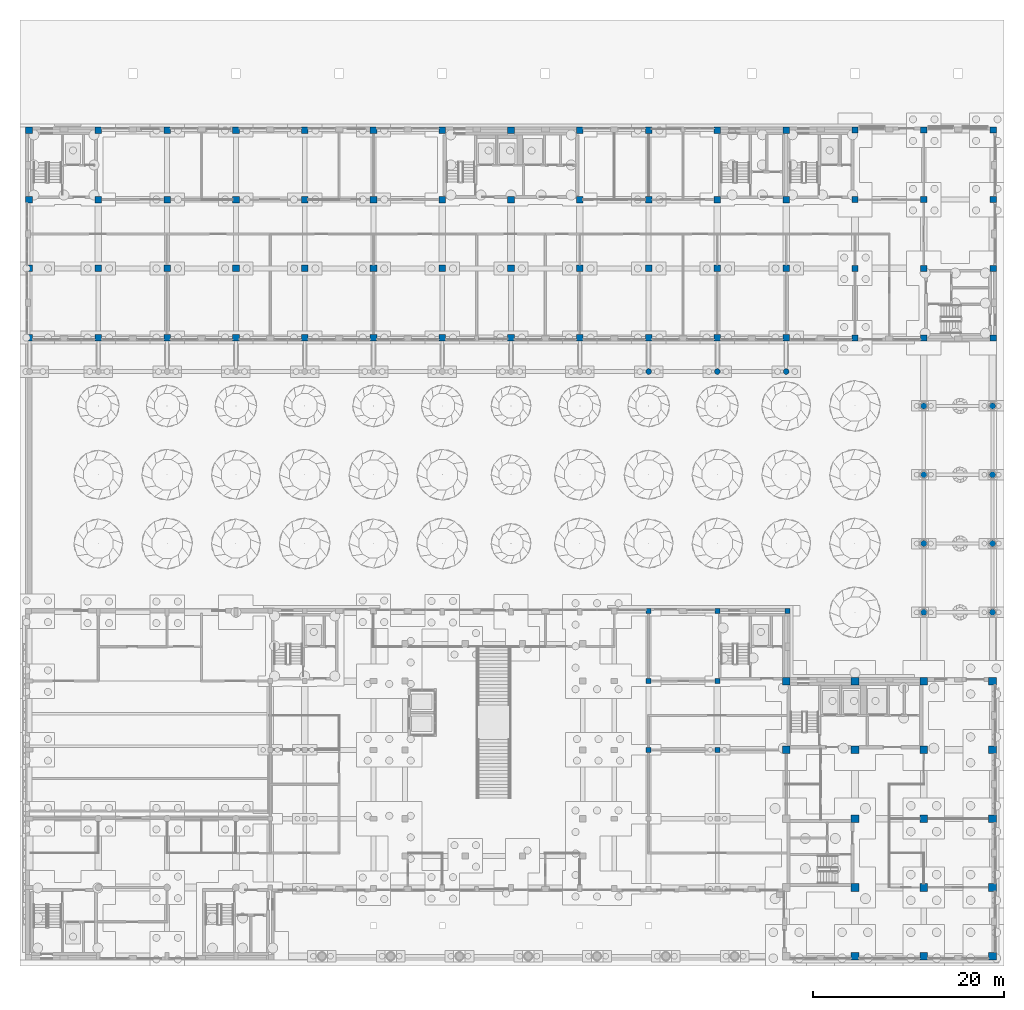
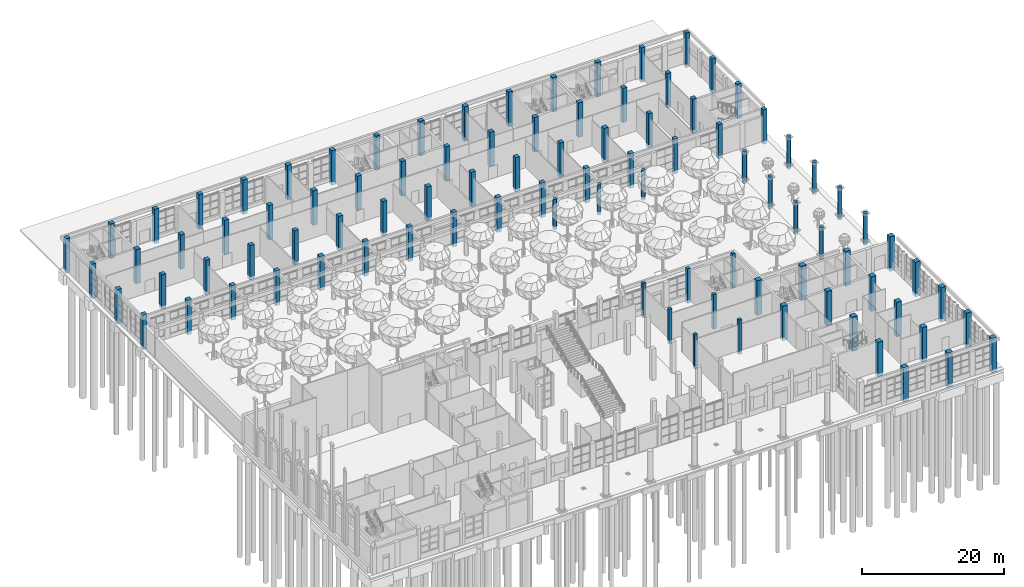
# One storey, part 9 of 80: 95 columns.
"""IFC4 building model written with IfcOpenShell, lengths in metres."""

from ifc_helpers import new_model, si_unit, direction, frame, origin, origin_2d, place, context, subcontext, project, spatial, rectangle, circle, extrude, material, material_profile, profile_set, type_object, element, save


model = new_model("IFC4")

# Units and contexts
model_context = context("Model", 3, precision=1e-05, world=origin(), true_north=direction((0.0, 1.0)))
body_context = subcontext(model_context, "Body", "Model", "MODEL_VIEW")
ifc_project = project(units=[si_unit("LENGTHUNIT", "METRE"), si_unit("AREAUNIT", "SQUARE_METRE"), si_unit("VOLUMEUNIT", "CUBIC_METRE"), si_unit("PLANEANGLEUNIT", "RADIAN"), si_unit("MASSUNIT", "GRAM", prefix="KILO")], contexts=[model_context])

# Site, building, storey
site_placement = place(None, origin())
site = spatial("IfcSite", under=ifc_project, at=site_placement, CompositionType="ELEMENT")
building_placement = place(site_placement, origin())
building = spatial("IfcBuilding", under=site, at=building_placement, Name="Ussher Court Research Institute", CompositionType="ELEMENT")
storey_placement = place(building_placement, origin())
storey = spatial("IfcBuildingStorey", under=building, at=storey_placement, Name="L00", CompositionType="ELEMENT", Elevation=0.0)

# Columns
ifc_material_1 = material(Name="Concrete C35/45", Category="concrete")
ifc_material_profile_1 = material_profile(ifc_material_1, rectangle(XDim=0.5, YDim=0.5, at=origin_2d()), Name="RC 500x500")
ifc_profile_set_1 = profile_set([ifc_material_profile_1], Name="Concrete C35/45")
column_type_1 = type_object("IfcColumnType", Name="RC 500x500 column", PredefinedType="COLUMN", material=ifc_profile_set_1)
for number, where, z_axis, x_axis, name in (
    (1, (67.800048828125, 25.60009765625, -0.550048828125), (0.0, 0.0, 1.0), (1.0, 0.0, 0.0), "C5 V7 L00-13"),
    (2, (67.800048828125, 32.800048828125, -0.550048828125), (0.0, 0.0, 1.0), (1.0, 0.0, 0.0), "C5 V7 L00-14"),
    (3, (67.800048828125, 40.14990234375, -0.550048828125), (0.0, 0.0, 1.0), (1.0, 0.0, 0.0), "C5 V7 L00-15"),
    (4, (75.0, 25.60009765625, -0.550048828125), (0.0, 0.0, 1.0), (1.0, 0.0, 0.0), "C5 V7 L00-18"),
    (5, (75.0, 32.800048828125, -0.550048828125), (0.0, 0.0, 1.0), (1.0, 0.0, 0.0), "C5 V7 L00-19"),
    (6, (75.0, 40.14990234375, -0.550048828125), (0.0, 0.0, 1.0), (1.0, 0.0, 0.0), "C5 V7 L00-20"),
    (7, (82.35009765625, 40.14990234375, -0.550048828125), (0.0, 0.0, 1.0), (1.0, 0.0, 0.0), "C5 V7 L00-21"),
):
    element("IfcColumn", number, at=place(storey_placement, frame(where, z_axis=z_axis, x_axis=x_axis)), inside=storey, type_object=column_type_1, Name=name, PredefinedType="COLUMN", context=body_context, shape_type="SweptSolid", body=[
        extrude(rectangle(XDim=0.5, YDim=0.5, at=origin_2d()), origin(), (0.0, 0.0, 1.0), 5.949951171875),
    ])
ifc_material_2 = material(Name="Concrete C35/45", Category="concrete")
ifc_material_profile_2 = material_profile(ifc_material_2, rectangle(XDim=0.64990234375, YDim=0.64990234375, at=origin_2d()), Name="RC 650x650")
ifc_profile_set_2 = profile_set([ifc_material_profile_2], Name="Concrete C35/45")
column_type_2 = type_object("IfcColumnType", Name="RC 650x650 column", PredefinedType="COLUMN", material=ifc_profile_set_2)
for number, where, z_axis, x_axis, name in (
    (8, (89.39990234375, 68.72509765625, -0.550048828125), (0.0, 0.0, 1.0), (1.0, 0.0, 0.0), "C65 V3 L00-01"),
    (9, (89.39990234375, 76.0, -0.550048828125), (0.0, 0.0, 1.0), (1.0, 0.0, 0.0), "C65 V3 L00-02"),
    (10, (89.39990234375, 83.199951171875, -0.550048828125), (0.0, 0.0, 1.0), (1.0, 0.0, 0.0), "C65 V3 L00-03"),
    (11, (89.39990234375, 90.47509765625, -0.550048828125), (0.0, 0.0, 1.0), (1.0, 0.0, 0.0), "C65 V3 L00-04"),
    (12, (96.60009765625, 68.72509765625, -0.550048828125), (0.0, 0.0, 1.0), (1.0, 0.0, 0.0), "C65 V3 L00-05"),
    (13, (96.60009765625, 76.0, -0.550048828125), (0.0, 0.0, 1.0), (1.0, 0.0, 0.0), "C65 V3 L00-06"),
    (14, (96.60009765625, 83.199951171875, -0.550048828125), (0.0, 0.0, 1.0), (1.0, 0.0, 0.0), "C65 V3 L00-07"),
    (15, (96.60009765625, 90.47509765625, -0.550048828125), (0.0, 0.0, 1.0), (1.0, 0.0, 0.0), "C65 V3 L00-08"),
    (16, (103.875, 68.72509765625, -0.550048828125), (0.0, 0.0, 1.0), (1.0, 0.0, 0.0), "C65 V3 L00-09"),
    (17, (103.875, 76.0, -0.550048828125), (0.0, 0.0, 1.0), (1.0, 0.0, 0.0), "C65 V3 L00-10"),
    (18, (103.875, 83.199951171875, -0.550048828125), (0.0, 0.0, 1.0), (1.0, 0.0, 0.0), "C65 V3 L00-11"),
    (19, (103.875, 90.47509765625, -0.550048828125), (0.0, 0.0, 1.0), (1.0, 0.0, 0.0), "C65 V3 L00-12"),
):
    element("IfcColumn", number, at=place(storey_placement, frame(where, z_axis=z_axis, x_axis=x_axis)), inside=storey, type_object=column_type_2, Name=name, PredefinedType="COLUMN", context=body_context, shape_type="SweptSolid", body=[
        extrude(rectangle(XDim=0.64990234375, YDim=0.64990234375, at=origin_2d()), origin(), (0.0, 0.0, 1.0), 5.949951171875),
    ])
ifc_material_3 = material(Name="Concrete C35/45", Category="concrete")
ifc_material_profile_3 = material_profile(ifc_material_3, rectangle(XDim=0.699951171875, YDim=0.699951171875, at=origin_2d()), Name="RC 700x700")
ifc_profile_set_3 = profile_set([ifc_material_profile_3], Name="Concrete C35/45")
column_type_3 = type_object("IfcColumnType", Name="RC 700x700 column", PredefinedType="COLUMN", material=ifc_profile_set_3)
for number, where, z_axis, x_axis, name in (
    (20, (2.949951171875, 68.75, -0.550048828125), (0.0, 0.0, 1.0), (1.0, 0.0, 0.0), "C7 V5 L00-01"),
    (21, (2.949951171875, 76.0, -0.550048828125), (0.0, 0.0, 1.0), (1.0, 0.0, 0.0), "C7 V5 L00-02"),
    (22, (2.949951171875, 83.199951171875, -0.550048828125), (0.0, 0.0, 1.0), (1.0, 0.0, 0.0), "C7 V5 L00-03"),
    (23, (2.949951171875, 90.449951171875, -0.550048828125), (0.0, 0.0, 1.0), (1.0, 0.0, 0.0), "C7 V5 L00-04"),
    (24, (10.199951171875, 68.75, -0.550048828125), (0.0, 0.0, 1.0), (1.0, 0.0, 0.0), "C7 V5 L00-05"),
    (25, (10.199951171875, 76.0, -0.550048828125), (0.0, 0.0, 1.0), (1.0, 0.0, 0.0), "C7 V5 L00-06"),
    (26, (10.199951171875, 83.199951171875, -0.550048828125), (0.0, 0.0, 1.0), (1.0, 0.0, 0.0), "C7 V5 L00-07"),
    (27, (10.199951171875, 90.449951171875, -0.550048828125), (0.0, 0.0, 1.0), (1.0, 0.0, 0.0), "C7 V5 L00-08"),
    (28, (17.39990234375, 68.75, -0.550048828125), (0.0, 0.0, 1.0), (1.0, 0.0, 0.0), "C7 V5 L00-09"),
    (29, (17.39990234375, 76.0, -0.550048828125), (0.0, 0.0, 1.0), (1.0, 0.0, 0.0), "C7 V5 L00-10"),
    (30, (17.39990234375, 83.199951171875, -0.550048828125), (0.0, 0.0, 1.0), (1.0, 0.0, 0.0), "C7 V5 L00-11"),
    (31, (17.39990234375, 90.449951171875, -0.550048828125), (0.0, 0.0, 1.0), (1.0, 0.0, 0.0), "C7 V5 L00-12"),
    (32, (24.60009765625, 68.75, -0.550048828125), (0.0, 0.0, 1.0), (1.0, 0.0, 0.0), "C7 V5 L00-13"),
    (33, (24.60009765625, 76.0, -0.550048828125), (0.0, 0.0, 1.0), (1.0, 0.0, 0.0), "C7 V5 L00-14"),
    (34, (24.60009765625, 83.199951171875, -0.550048828125), (0.0, 0.0, 1.0), (1.0, 0.0, 0.0), "C7 V5 L00-15"),
    (35, (24.60009765625, 90.449951171875, -0.550048828125), (0.0, 0.0, 1.0), (1.0, 0.0, 0.0), "C7 V5 L00-16"),
    (36, (31.800048828125, 68.75, -0.550048828125), (0.0, 0.0, 1.0), (1.0, 0.0, 0.0), "C7 V5 L00-17"),
    (37, (31.800048828125, 76.0, -0.550048828125), (0.0, 0.0, 1.0), (1.0, 0.0, 0.0), "C7 V5 L00-18"),
    (38, (31.800048828125, 83.199951171875, -0.550048828125), (0.0, 0.0, 1.0), (1.0, 0.0, 0.0), "C7 V5 L00-19"),
    (39, (31.800048828125, 90.449951171875, -0.550048828125), (0.0, 0.0, 1.0), (1.0, 0.0, 0.0), "C7 V5 L00-20"),
    (40, (39.0, 68.75, -0.550048828125), (0.0, 0.0, 1.0), (1.0, 0.0, 0.0), "C7 V5 L00-21"),
    (41, (39.0, 76.0, -0.550048828125), (0.0, 0.0, 1.0), (1.0, 0.0, 0.0), "C7 V5 L00-22"),
    (42, (39.0, 83.199951171875, -0.550048828125), (0.0, 0.0, 1.0), (1.0, 0.0, 0.0), "C7 V5 L00-23"),
    (43, (39.0, 90.449951171875, -0.550048828125), (0.0, 0.0, 1.0), (1.0, 0.0, 0.0), "C7 V5 L00-24"),
    (44, (46.199951171875, 68.75, -0.550048828125), (0.0, 0.0, 1.0), (1.0, 0.0, 0.0), "C7 V5 L00-25"),
    (45, (46.199951171875, 76.0, -0.550048828125), (0.0, 0.0, 1.0), (1.0, 0.0, 0.0), "C7 V5 L00-26"),
    (46, (46.199951171875, 83.199951171875, -0.550048828125), (0.0, 0.0, 1.0), (1.0, 0.0, 0.0), "C7 V5 L00-27"),
    (47, (46.199951171875, 90.449951171875, -0.550048828125), (0.0, 0.0, 1.0), (1.0, 0.0, 0.0), "C7 V5 L00-28"),
    (48, (53.39990234375, 68.75, -0.550048828125), (0.0, 0.0, 1.0), (1.0, 0.0, 0.0), "C7 V5 L00-29"),
    (49, (53.39990234375, 76.0, -0.550048828125), (0.0, 0.0, 1.0), (1.0, 0.0, 0.0), "C7 V5 L00-30"),
    (50, (53.39990234375, 83.199951171875, -0.550048828125), (0.0, 0.0, 1.0), (1.0, 0.0, 0.0), "C7 V5 L00-31"),
    (51, (53.39990234375, 90.449951171875, -0.550048828125), (0.0, 0.0, 1.0), (1.0, 0.0, 0.0), "C7 V5 L00-32"),
    (52, (60.60009765625, 68.75, -0.550048828125), (0.0, 0.0, 1.0), (1.0, 0.0, 0.0), "C7 V5 L00-33"),
    (53, (60.60009765625, 76.0, -0.550048828125), (0.0, 0.0, 1.0), (1.0, 0.0, 0.0), "C7 V5 L00-34"),
    (54, (60.60009765625, 83.199951171875, -0.550048828125), (0.0, 0.0, 1.0), (1.0, 0.0, 0.0), "C7 V5 L00-35"),
    (55, (60.60009765625, 90.449951171875, -0.550048828125), (0.0, 0.0, 1.0), (1.0, 0.0, 0.0), "C7 V5 L00-36"),
    (56, (67.800048828125, 68.75, -0.550048828125), (0.0, 0.0, 1.0), (1.0, 0.0, 0.0), "C7 V5 L00-37"),
    (57, (67.800048828125, 76.0, -0.550048828125), (0.0, 0.0, 1.0), (1.0, 0.0, 0.0), "C7 V5 L00-38"),
    (58, (67.800048828125, 83.199951171875, -0.550048828125), (0.0, 0.0, 1.0), (1.0, 0.0, 0.0), "C7 V5 L00-39"),
    (59, (67.800048828125, 90.449951171875, -0.550048828125), (0.0, 0.0, 1.0), (1.0, 0.0, 0.0), "C7 V5 L00-40"),
    (60, (75.0, 68.75, -0.550048828125), (0.0, 0.0, 1.0), (1.0, 0.0, 0.0), "C7 V5 L00-41"),
    (61, (75.0, 76.0, -0.550048828125), (0.0, 0.0, 1.0), (1.0, 0.0, 0.0), "C7 V5 L00-42"),
    (62, (75.0, 83.199951171875, -0.550048828125), (0.0, 0.0, 1.0), (1.0, 0.0, 0.0), "C7 V5 L00-43"),
    (63, (75.0, 90.449951171875, -0.550048828125), (0.0, 0.0, 1.0), (1.0, 0.0, 0.0), "C7 V5 L00-44"),
    (64, (82.199951171875, 68.75, -0.550048828125), (0.0, 0.0, 1.0), (1.0, 0.0, 0.0), "C7 V5 L00-45"),
    (65, (82.199951171875, 76.0, -0.550048828125), (0.0, 0.0, 1.0), (1.0, 0.0, 0.0), "C7 V5 L00-46"),
    (66, (82.199951171875, 83.199951171875, -0.550048828125), (0.0, 0.0, 1.0), (1.0, 0.0, 0.0), "C7 V5 L00-47"),
    (67, (82.199951171875, 90.449951171875, -0.550048828125), (0.0, 0.0, 1.0), (1.0, 0.0, 0.0), "C7 V5 L00-48"),
):
    element("IfcColumn", number, at=place(storey_placement, frame(where, z_axis=z_axis, x_axis=x_axis)), inside=storey, type_object=column_type_3, Name=name, PredefinedType="COLUMN", context=body_context, shape_type="SweptSolid", body=[
        extrude(rectangle(XDim=0.699951171875, YDim=0.699951171875, at=origin_2d()), origin(), (0.0, 0.0, 1.0), 5.949951171875),
    ])
ifc_material_4 = material(Name="Concrete C35/45", Category="concrete")
ifc_material_profile_4 = material_profile(ifc_material_4, rectangle(XDim=0.800048828125, YDim=0.800048828125, at=origin_2d()), Name="RC 800x800")
ifc_profile_set_4 = profile_set([ifc_material_profile_4], Name="Concrete C35/45")
column_type_4 = type_object("IfcColumnType", Name="RC 800x800 column", PredefinedType="COLUMN", material=ifc_profile_set_4)
for number, where, z_axis, x_axis, name in (
    (68, (82.199951171875, 25.60009765625, -0.550048828125), (0.0, 0.0, 1.0), (1.0, 0.0, 0.0), "C8 V4 L00-04"),
    (69, (82.199951171875, 32.800048828125, -0.550048828125), (0.0, 0.0, 1.0), (1.0, 0.0, 0.0), "C8 V4 L00-05"),
    (70, (89.39990234375, 4.0, -0.550048828125), (0.0, 0.0, 1.0), (1.0, 0.0, 0.0), "C8 V4 L00-06"),
    (71, (89.39990234375, 11.199951171875, -0.550048828125), (0.0, 0.0, 1.0), (1.0, 0.0, 0.0), "C8 V4 L00-07"),
    (72, (89.39990234375, 18.39990234375, -0.550048828125), (0.0, 0.0, 1.0), (1.0, 0.0, 0.0), "C8 V4 L00-08"),
    (73, (89.39990234375, 25.60009765625, -0.550048828125), (0.0, 0.0, 1.0), (1.0, 0.0, 0.0), "C8 V4 L00-09"),
    (74, (89.39990234375, 32.800048828125, -0.550048828125), (0.0, 0.0, 1.0), (1.0, 0.0, 0.0), "C8 V4 L00-10"),
    (75, (96.60009765625, 4.0, -0.550048828125), (0.0, 0.0, 1.0), (1.0, 0.0, 0.0), "C8 V4 L00-11"),
    (76, (96.60009765625, 11.199951171875, -0.550048828125), (0.0, 0.0, 1.0), (1.0, 0.0, 0.0), "C8 V4 L00-12"),
    (77, (96.60009765625, 18.39990234375, -0.550048828125), (0.0, 0.0, 1.0), (1.0, 0.0, 0.0), "C8 V4 L00-13"),
    (78, (96.60009765625, 25.60009765625, -0.550048828125), (0.0, 0.0, 1.0), (1.0, 0.0, 0.0), "C8 V4 L00-14"),
    (79, (96.60009765625, 32.800048828125, -0.550048828125), (0.0, 0.0, 1.0), (1.0, 0.0, 0.0), "C8 V4 L00-15"),
    (80, (103.800048828125, 4.0, -0.550048828125), (0.0, 0.0, 1.0), (1.0, 0.0, 0.0), "C8 V4 L00-16"),
    (81, (103.800048828125, 11.199951171875, -0.550048828125), (0.0, 0.0, 1.0), (1.0, 0.0, 0.0), "C8 V4 L00-17"),
    (82, (103.800048828125, 18.39990234375, -0.550048828125), (0.0, 0.0, 1.0), (1.0, 0.0, 0.0), "C8 V4 L00-18"),
    (83, (103.800048828125, 25.60009765625, -0.550048828125), (0.0, 0.0, 1.0), (1.0, 0.0, 0.0), "C8 V4 L00-19"),
    (84, (103.800048828125, 32.800048828125, -0.550048828125), (0.0, 0.0, 1.0), (1.0, 0.0, 0.0), "C8 V4 L00-20"),
):
    element("IfcColumn", number, at=place(storey_placement, frame(where, z_axis=z_axis, x_axis=x_axis)), inside=storey, type_object=column_type_4, Name=name, PredefinedType="COLUMN", context=body_context, shape_type="SweptSolid", body=[
        extrude(rectangle(XDim=0.800048828125, YDim=0.800048828125, at=origin_2d()), origin(), (0.0, 0.0, 1.0), 5.949951171875),
    ])
ifc_material_5 = material(Name="Concrete C35/45", Category="concrete")
ifc_material_profile_5 = material_profile(ifc_material_5, circle(Radius=0.300048828125, at=origin_2d()), Name="RC D600")
ifc_profile_set_5 = profile_set([ifc_material_profile_5], Name="Concrete C35/45")
column_type_5 = type_object("IfcColumnType", Name="RC D600 column", PredefinedType="COLUMN", material=ifc_profile_set_5)
for number, where, z_axis, x_axis, name in (
    (85, (67.800048828125, 65.199951171875, -0.550048828125), (0.0, 0.0, 1.0), (1.0, 0.0, 0.0), "CR3 V5C L00-10"),
    (86, (75.0, 65.199951171875, -0.550048828125), (0.0, 0.0, 1.0), (1.0, 0.0, 0.0), "CR3 V5C L00-11"),
    (87, (82.199951171875, 65.199951171875, -0.550048828125), (0.0, 0.0, 1.0), (1.0, 0.0, 0.0), "CR3 V5C L00-12"),
):
    element("IfcColumn", number, at=place(storey_placement, frame(where, z_axis=z_axis, x_axis=x_axis)), inside=storey, type_object=column_type_5, Name=name, PredefinedType="COLUMN", context=body_context, shape_type="SweptSolid", body=[
        extrude(circle(Radius=0.300048828125, at=origin_2d()), origin(), (0.0, 0.0, 1.0), 5.170166015625),
    ])
ifc_material_6 = material(Name="Concrete C35/45", Category="concrete")
ifc_material_profile_6 = material_profile(ifc_material_6, circle(Radius=0.324951171875, at=origin_2d()), Name="RC D650")
ifc_profile_set_6 = profile_set([ifc_material_profile_6], Name="Concrete C35/45")
column_type_6 = type_object("IfcColumnType", Name="RC D650 column", PredefinedType="COLUMN", material=ifc_profile_set_6)
for number, where, z_axis, x_axis, name in (
    (88, (96.60009765625, 40.0, -0.550048828125), (0.0, 0.0, 1.0), (1.0, 0.0, 0.0), "CR1 V8 L00-01"),
    (89, (96.60009765625, 47.199951171875, -0.550048828125), (0.0, 0.0, 1.0), (1.0, 0.0, 0.0), "CR1 V8 L00-02"),
    (90, (96.60009765625, 54.39990234375, -0.550048828125), (0.0, 0.0, 1.0), (1.0, 0.0, 0.0), "CR1 V8 L00-03"),
    (91, (96.60009765625, 61.60009765625, -0.550048828125), (0.0, 0.0, 1.0), (1.0, 0.0, 0.0), "CR1 V8 L00-04"),
    (92, (103.800048828125, 40.0, -0.550048828125), (0.0, 0.0, 1.0), (1.0, 0.0, 0.0), "CR1 V8 L00-05"),
    (93, (103.800048828125, 47.199951171875, -0.550048828125), (0.0, 0.0, 1.0), (1.0, 0.0, 0.0), "CR1 V8 L00-06"),
    (94, (103.800048828125, 54.39990234375, -0.550048828125), (0.0, 0.0, 1.0), (1.0, 0.0, 0.0), "CR1 V8 L00-07"),
    (95, (103.800048828125, 61.60009765625, -0.550048828125), (0.0, 0.0, 1.0), (1.0, 0.0, 0.0), "CR1 V8 L00-08"),
):
    element("IfcColumn", number, at=place(storey_placement, frame(where, z_axis=z_axis, x_axis=x_axis)), inside=storey, type_object=column_type_6, Name=name, PredefinedType="COLUMN", context=body_context, shape_type="SweptSolid", body=[
        extrude(circle(Radius=0.324951171875, at=origin_2d()), origin(), (0.0, 0.0, 1.0), 5.510009765625),
    ])

save(model, "model.ifc")
